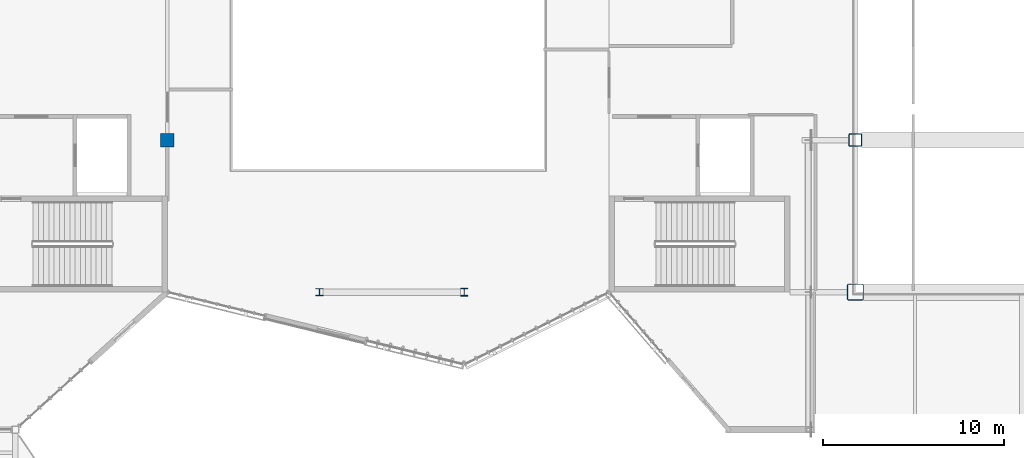
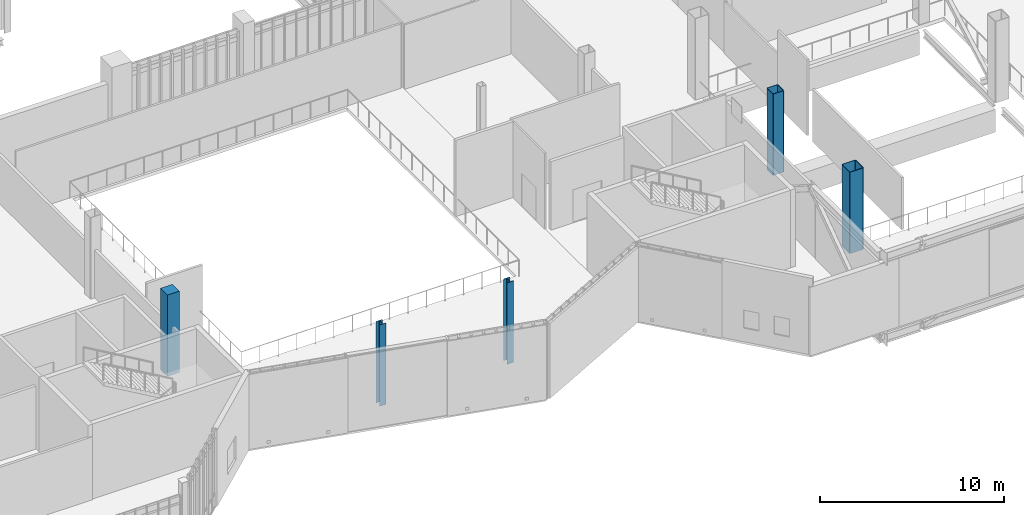
# One storey, part 5 of 127: 5 columns.
"""IFC4 building model written with IfcOpenShell, lengths in metres."""

from ifc_helpers import new_model, si_unit, direction, frame, origin, origin_2d, place, context, subcontext, project, spatial, rectangle, hollow_rectangle, i_section, extrude, material, material_profile, profile_set, type_object, element, save


model = new_model("IFC4")

# Units and contexts
model_context = context("Model", 3, precision=1e-05, world=origin(), true_north=direction((0.0, 1.0)))
body_context = subcontext(model_context, "Body", "Model", "MODEL_VIEW")
ifc_project = project(units=[si_unit("LENGTHUNIT", "METRE"), si_unit("AREAUNIT", "SQUARE_METRE"), si_unit("VOLUMEUNIT", "CUBIC_METRE"), si_unit("PLANEANGLEUNIT", "RADIAN"), si_unit("MASSUNIT", "GRAM", prefix="KILO")], contexts=[model_context])

# Site, building, storey
site_placement = place(None, origin())
site = spatial("IfcSite", under=ifc_project, at=site_placement, CompositionType="ELEMENT")
building_placement = place(site_placement, origin())
building = spatial("IfcBuilding", under=site, at=building_placement, Name="Larkvane Passage Sports Hall", CompositionType="ELEMENT")
storey_placement = place(building_placement, frame((0.0, 0.0, 5.39990234375)))
storey = spatial("IfcBuildingStorey", under=building, at=storey_placement, Name="L01", CompositionType="ELEMENT", Elevation=5.39990234375)

# Columns
ifc_material_1 = material(Name="Concrete C40/50", Category="concrete")
ifc_material_profile_1 = material_profile(ifc_material_1, rectangle(XDim=0.75, YDim=0.75, at=origin_2d()), Name="RC-COL-750x750")
ifc_profile_set_1 = profile_set([ifc_material_profile_1], Name="Concrete C40/50")
column_type_1 = type_object("IfcColumnType", Name="COL-RC-750", PredefinedType="COLUMN", material=ifc_profile_set_1)
column_1_placement = place(storey_placement, frame((93.60009765625, 31.199951171875, 0.0), z_axis=(0.0, 0.0, 1.0), x_axis=(1.0, 0.0, 0.0)))
element("IfcColumn", 1, at=column_1_placement, inside=storey, type_object=column_type_1, Name="Column 13/E L01", PredefinedType="COLUMN", context=body_context, shape_type="SweptSolid", body=[
    extrude(rectangle(XDim=0.75, YDim=0.75, at=origin_2d()), origin(), (0.0, 0.0, 1.0), 5.400146484375),
])
ifc_material_2 = material(Name="Steel S460N", Category="steel")
ifc_material_profile_2 = material_profile(ifc_material_2, hollow_rectangle(XDim=0.699951171875, YDim=0.699951171875, WallThickness=0.028076171875, InnerFilletRadius=0.028076171875, OuterFilletRadius=0.055908203125, at=origin_2d()), Name="BOX-700x700x28")
ifc_profile_set_2 = profile_set([ifc_material_profile_2], Name="Steel S460N")
column_type_2 = type_object("IfcColumnType", Name="COL-STL-BOX700", PredefinedType="COLUMN", material=ifc_profile_set_2)
column_2_placement = place(storey_placement, frame((131.60009765625, 31.199951171875, 0.0), z_axis=(0.0, 0.0, 1.0), x_axis=(1.0, 0.0, 0.0)))
element("IfcColumn", 2, at=column_2_placement, inside=storey, type_object=column_type_2, Name="Column 18/E L01", PredefinedType="COLUMN", context=body_context, shape_type="SweptSolid", body=[
    extrude(hollow_rectangle(XDim=0.699951171875, YDim=0.699951171875, WallThickness=0.028076171875, InnerFilletRadius=0.028076171875, OuterFilletRadius=0.055908203125, at=origin_2d()), origin(), (0.0, 0.0, 1.0), 5.400146484375),
])
ifc_material_profile_3 = material_profile(ifc_material_2, hollow_rectangle(XDim=0.89990234375, YDim=0.89990234375, WallThickness=0.035888671875, InnerFilletRadius=0.035888671875, OuterFilletRadius=0.072021484375, at=origin_2d()), Name="BOX-900x900x36")
ifc_profile_set_3 = profile_set([ifc_material_profile_3], Name="Steel S460N")
column_type_3 = type_object("IfcColumnType", Name="COL-STL-BOX900", PredefinedType="COLUMN", material=ifc_profile_set_3)
column_3_placement = place(storey_placement, frame((131.60009765625, 22.800048828125, 0.0), z_axis=(0.0, 0.0, 1.0), x_axis=(1.0, 0.0, 0.0)))
element("IfcColumn", 3, at=column_3_placement, inside=storey, type_object=column_type_3, Name="Column 18/D L01", PredefinedType="COLUMN", context=body_context, shape_type="SweptSolid", body=[
    extrude(hollow_rectangle(XDim=0.89990234375, YDim=0.89990234375, WallThickness=0.035888671875, InnerFilletRadius=0.035888671875, OuterFilletRadius=0.072021484375, at=origin_2d()), origin(), (0.0, 0.0, 1.0), 5.400146484375),
])
ifc_material_3 = material(Name="Steel S355JR", Category="steel")
ifc_material_profile_4 = material_profile(ifc_material_3, i_section(OverallWidth=0.39990234375, OverallDepth=0.39990234375, WebThickness=0.012939453125, FlangeThickness=0.02099609375, FilletRadius=0.02197265625, at=origin_2d()), Name="H-400x400x13x21")
ifc_profile_set_4 = profile_set([ifc_material_profile_4], Name="Steel S355JR")
column_type_4 = type_object("IfcColumnType", Name="COL-STL-H400", PredefinedType="COLUMN", material=ifc_profile_set_4)
column_4_placement = place(storey_placement, frame((102.0, 22.800048828125, 0.0), z_axis=(0.0, 0.0, 1.0), x_axis=(1.0, 0.0, 0.0)))
element("IfcColumn", 4, at=column_4_placement, inside=storey, type_object=column_type_4, Name="Column 14/D L01", PredefinedType="COLUMN", context=body_context, shape_type="SweptSolid", body=[
    extrude(i_section(OverallWidth=0.39990234375, OverallDepth=0.39990234375, WebThickness=0.012939453125, FlangeThickness=0.02099609375, FilletRadius=0.02197265625, at=origin_2d()), origin(), (0.0, 0.0, 1.0), 5.400146484375),
])
ifc_material_profile_5 = material_profile(ifc_material_2, i_section(OverallWidth=0.406982421875, OverallDepth=0.427978515625, WebThickness=0.02001953125, FlangeThickness=0.034912109375, FilletRadius=0.02197265625, at=origin_2d()), Name="H-428x407x20x35")
ifc_profile_set_5 = profile_set([ifc_material_profile_5], Name="Steel S460N")
column_type_5 = type_object("IfcColumnType", Name="COL-STL-H428", PredefinedType="COLUMN", material=ifc_profile_set_5)
column_5_placement = place(storey_placement, frame((110.0, 22.800048828125, 0.0), z_axis=(0.0, 0.0, 1.0), x_axis=(1.0, 0.0, 0.0)))
element("IfcColumn", 5, at=column_5_placement, inside=storey, type_object=column_type_5, Name="Column 15/D L01", PredefinedType="COLUMN", context=body_context, shape_type="SweptSolid", body=[
    extrude(i_section(OverallWidth=0.406982421875, OverallDepth=0.427978515625, WebThickness=0.02001953125, FlangeThickness=0.034912109375, FilletRadius=0.02197265625, at=origin_2d()), origin(), (0.0, 0.0, 1.0), 5.400146484375),
])

save(model, "model.ifc")
